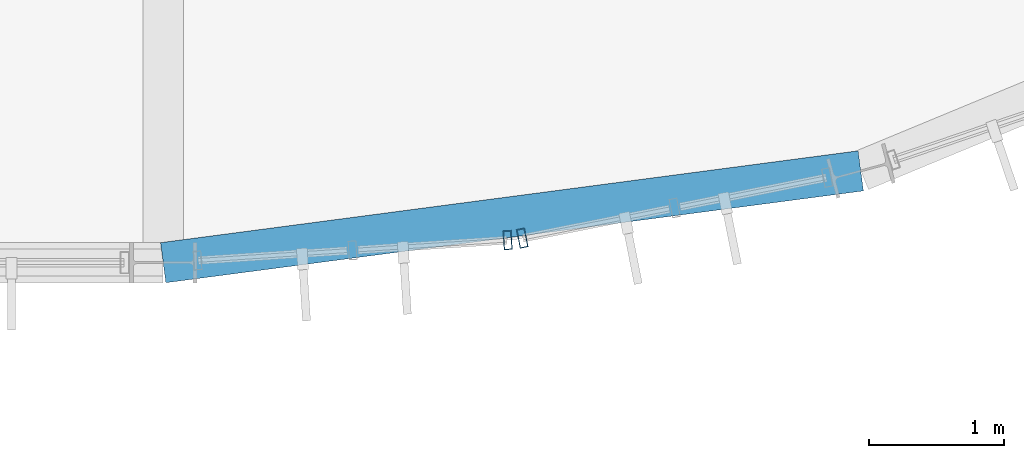
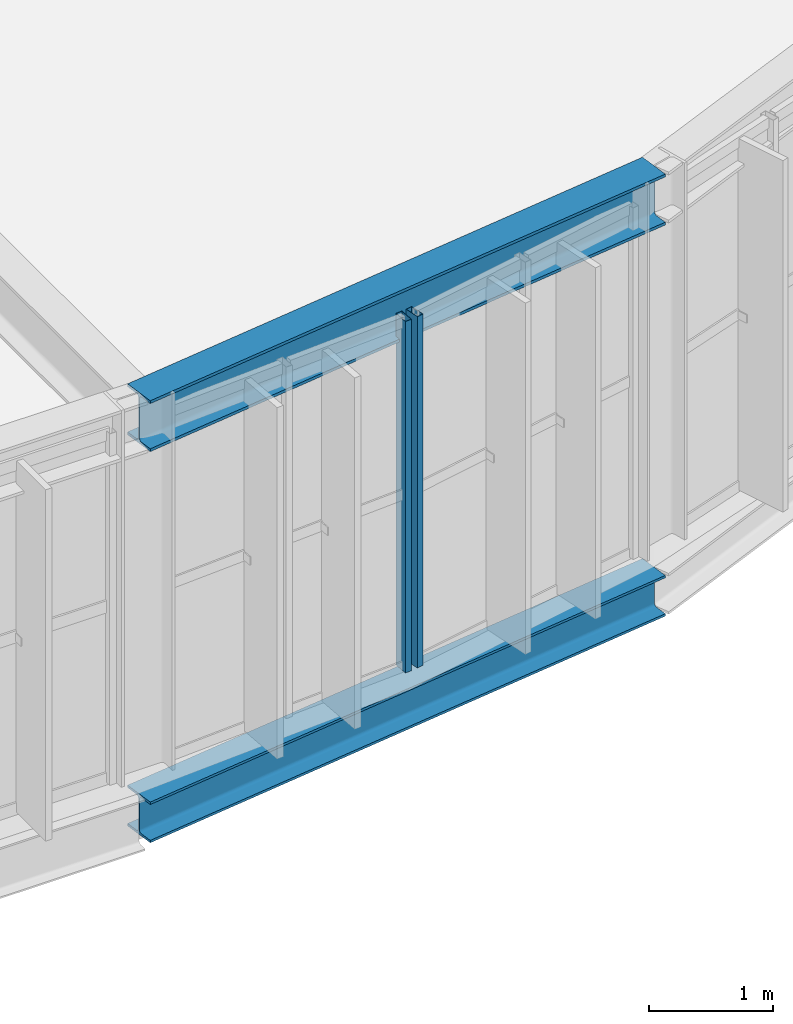
# One storey, part 42 of 152: 2 beams, 2 members, 2 elements without a shape of their own.
"""IFC4 building model written with IfcOpenShell, lengths in metres."""

from ifc_helpers import new_model, si_unit, derived_unit, direction, frame, origin, origin_2d, place, context, subcontext, project, spatial, hollow_rectangle, i_section, extrude, material, material_profile, profile_set, type_object, element, aggregate, save


model = new_model("IFC4")

# Units and contexts
model_context = context("Model", 3, precision=1e-05, world=origin(), true_north=direction((0.0, 1.0)))
body_context = subcontext(model_context, "Body", "Model", "MODEL_VIEW")
ifc_project = project(units=[si_unit("LENGTHUNIT", "METRE"), si_unit("AREAUNIT", "SQUARE_METRE"), si_unit("VOLUMEUNIT", "CUBIC_METRE"), si_unit("PLANEANGLEUNIT", "RADIAN"), si_unit("MASSUNIT", "GRAM", prefix="KILO"), si_unit("THERMODYNAMICTEMPERATUREUNIT", "KELVIN"), si_unit("TIMEUNIT", "SECOND"), derived_unit("THERMALTRANSMITTANCEUNIT", [(si_unit("MASSUNIT", "GRAM", prefix="KILO"), 1), (si_unit("THERMODYNAMICTEMPERATUREUNIT", "KELVIN"), -1), (si_unit("TIMEUNIT", "SECOND"), -3)])], contexts=[model_context])

# Site, building, storey
site_placement = place(None, origin())
site = spatial("IfcSite", under=ifc_project, at=site_placement, CompositionType="ELEMENT")
building_placement = place(site_placement, origin())
building = spatial("IfcBuilding", under=site, at=building_placement, Name="Cambertide Market Hall", CompositionType="ELEMENT")
storey_placement = place(building_placement, frame((0.0, 0.0, 5.39990234375)))
storey = spatial("IfcBuildingStorey", under=building, at=storey_placement, Name="L02", CompositionType="ELEMENT", Elevation=5.39990234375)

# Curtain wall, member
ifc_material_1 = material(Name="Marine Anodized Aluminium 6063-T6 AA25", Category="aluminium")
curtain_wall_type = type_object("IfcCurtainWallType", Name="Lantern Apse Chord Upper Curtain Wall", PredefinedType="USERDEFINED", material=ifc_material_1)
curtain_wall_1_placement = place(storey_placement, origin())
curtain_wall_1 = element("IfcCurtainWall", 1, at=curtain_wall_1_placement, inside=storey, type_object=curtain_wall_type, Name="Level 2 Curtain Wall CW-V1AE-L02-01", ObjectType="UNITIZED CURTAIN WALL", PredefinedType="USERDEFINED")
ifc_material_2 = material(Name="Champagne Marine Anodized Aluminium 6063-T6 AA25", Category="aluminium")
ifc_material_profile_1 = material_profile(ifc_material_2, hollow_rectangle(XDim=0.06005859375, YDim=0.139892578125, WallThickness=0.00341796875, at=origin_2d()), Name="ALU MULLION 60x140")
ifc_profile_set_1 = profile_set([ifc_material_profile_1], Name="Champagne Marine Anodized Aluminium 6063-T6 AA25")
member_type = type_object("IfcMemberType", Name="Curtain Wall Mullion ALU MULLION 60x140", PredefinedType="MULLION", material=ifc_profile_set_1)
member_1_placement = place(storey_placement, frame((107.5556640625, 52.16748046875, 0.0), z_axis=(0.0, 0.0, 1.0), x_axis=(-0.997858917819, -0.065403211921, 0.0)))
member_1 = element("IfcMember", 2, at=member_1_placement, type_object=member_type, Name="CW-V1AE-L02-01 Mullion 1", PredefinedType="MULLION", context=body_context, shape_type="SweptSolid", body=[
    extrude(hollow_rectangle(XDim=0.06005859375, YDim=0.139892578125, WallThickness=0.00341796875, at=origin_2d()), origin(), (0.0, 0.0, 1.0), 3.4501953125),
])
aggregate(curtain_wall_1, [member_1])

curtain_wall_2_placement = place(storey_placement, origin())
curtain_wall_2 = element("IfcCurtainWall", 3, at=curtain_wall_2_placement, inside=storey, type_object=curtain_wall_type, Name="Level 2 Curtain Wall CW-V1AE-L02-02", ObjectType="UNITIZED CURTAIN WALL", PredefinedType="USERDEFINED")
member_2_placement = place(storey_placement, frame((107.66455078125, 52.181884765625, 0.0), z_axis=(0.0, 0.0, 1.0), x_axis=(-0.980785330885, -0.195090068226, 0.0)))
member_2 = element("IfcMember", 4, at=member_2_placement, type_object=member_type, Name="CW-V1AE-L02-02 Mullion 3", PredefinedType="MULLION", context=body_context, shape_type="SweptSolid", body=[
    extrude(hollow_rectangle(XDim=0.06005859375, YDim=0.139892578125, WallThickness=0.00341796875, at=origin_2d()), origin(), (0.0, 0.0, 1.0), 3.4501953125),
])
aggregate(curtain_wall_2, [member_2])

# Beams
ifc_material_3 = material(Name="Steel S355", Category="steel")
ifc_material_profile_2 = material_profile(ifc_material_3, i_section(OverallWidth=0.300048828125, OverallDepth=0.5, WebThickness=0.014404296875, FlangeThickness=0.028076171875, FilletRadius=0.027099609375, at=origin_2d()), Name="HEB 500")
ifc_profile_set_2 = profile_set([ifc_material_profile_2], Name="Steel S355")
beam_type_1 = type_object("IfcBeamType", Name="Exterior Steel Girder HEB 500", PredefinedType="BEAM", material=ifc_profile_set_2)
beam_1_placement = place(storey_placement, frame((105.0, 52.0, 3.4501953125), z_axis=(0.991446654043, 0.130512574825, 0.0), x_axis=(-0.130512574825, 0.991446654043, 0.0)))
element("IfcBeam", 5, at=beam_1_placement, inside=storey, type_object=beam_type_1, Name="Level 2 Beam EAVE-V1AE-01", PredefinedType="BEAM", context=body_context, shape_type="SweptSolid", body=[
    extrude(i_section(OverallWidth=0.300048828125, OverallDepth=0.5, WebThickness=0.014404296875, FlangeThickness=0.028076171875, FilletRadius=0.027099609375, at=origin_2d()), origin(), (0.0, 0.0, 1.0), 5.220947265625),
])
ifc_material_4 = material(Name="Steel S355", Category="steel")
ifc_material_profile_3 = material_profile(ifc_material_4, i_section(OverallWidth=0.300048828125, OverallDepth=0.39990234375, WebThickness=0.013427734375, FlangeThickness=0.02392578125, FilletRadius=0.027099609375, at=origin_2d()), Name="HEB 400")
ifc_profile_set_3 = profile_set([ifc_material_profile_3], Name="Steel S355")
beam_type_2 = type_object("IfcBeamType", Name="Steel Girder HEB 400", PredefinedType="BEAM", material=ifc_profile_set_3)
beam_2_placement = place(storey_placement, frame((105.0, 52.0, -0.43994140625), z_axis=(0.991446654043, 0.130512574825, 0.0), x_axis=(-0.130512574825, 0.991446654043, 0.0)))
element("IfcBeam", 6, at=beam_2_placement, inside=storey, type_object=beam_type_2, Name="Level 2 Beam BM-V1AE-L02-1", PredefinedType="BEAM", context=body_context, shape_type="SweptSolid", body=[
    extrude(i_section(OverallWidth=0.300048828125, OverallDepth=0.39990234375, WebThickness=0.013427734375, FlangeThickness=0.02392578125, FilletRadius=0.027099609375, at=origin_2d()), origin(), (0.0, 0.0, 1.0), 5.220947265625),
])

save(model, "model.ifc")
